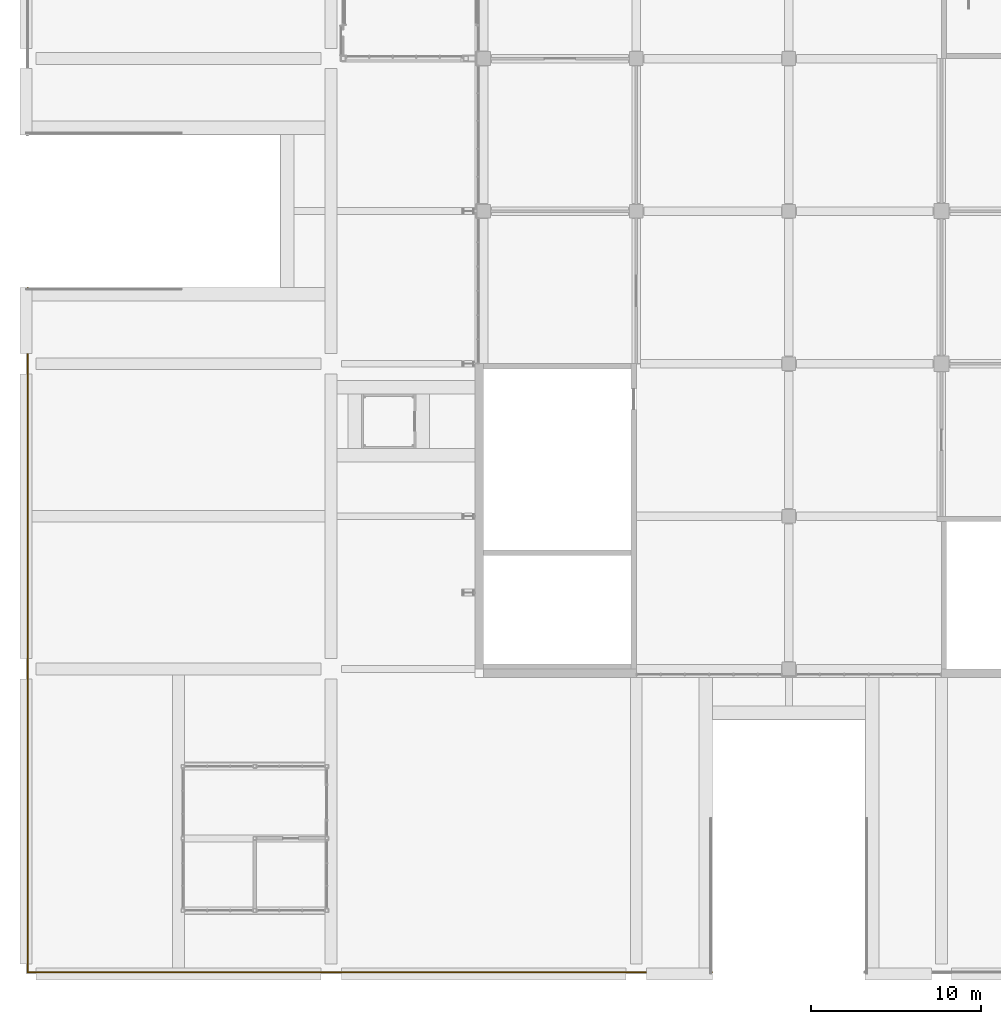
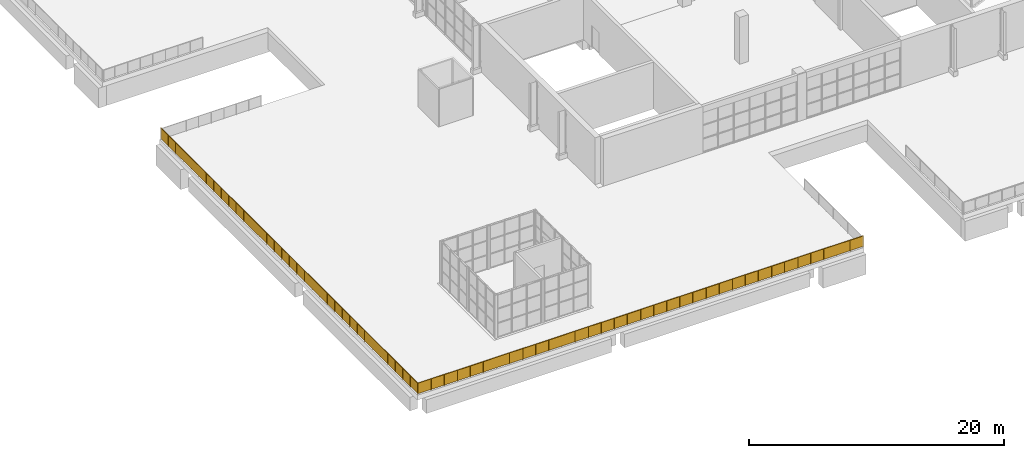
# One storey, part 138 of 168: 1 railing.
"""IFC4 building model written with IfcOpenShell, lengths in metres."""

import ifcopenshell
import ifcopenshell.guid

model = None  # the IFC model being written
_history = None  # IfcOwnerHistory: only IFC2X3 demands one
_inside = {}  # id of a spatial element -> (the spatial element, [elements in it])
_under = {}  # id of a project, library or spatial element -> (it, [spatial elements below it])
_declared = {}  # id of a project -> (the project, [libraries it declares])
_typed = {}  # id of a type object -> (the type object, [elements of that type])
_made_of = {}  # id of a material, layer set ... -> (it, [elements and type objects made of it])


def new_model(schema):
    """Start an empty IFC model of exactly this schema.

    Asked for "IFC4X3", IfcOpenShell would pick the latest addendum, in which some entities
    have other attributes; the version numbers below select the first issue.
    IFC2X3 requires an IfcOwnerHistory on every rooted entity: one is made here for all.
    """
    global model, _history
    if schema == "IFC4X3":
        model = ifcopenshell.file(schema_version=(4, 3, 0, 0))
    else:
        model = ifcopenshell.file(schema=schema)
    _inside.clear()
    _under.clear()
    _declared.clear()
    _typed.clear()
    _made_of.clear()
    _history = None
    if model.schema == "IFC2X3":
        org = make("IfcOrganization", Name="unknown")
        user = make(
            "IfcPersonAndOrganization",
            ThePerson=make("IfcPerson", FamilyName="unknown"),
            TheOrganization=org,
        )
        app = make(
            "IfcApplication",
            ApplicationDeveloper=org,
            Version="unknown",
            ApplicationFullName="unknown",
            ApplicationIdentifier="unknown",
        )
        _history = make(
            "IfcOwnerHistory",
            OwningUser=user,
            OwningApplication=app,
            ChangeAction="ADDED",
            CreationDate=0,
        )
    return model


def make(cls, **values):
    """One entity of the class cls with the attributes given. An attribute that is None is left unset."""
    return model.create_entity(
        cls, **{name: value for name, value in values.items() if value is not None}
    )


def rooted(cls, **values):
    """An entity with a GlobalId (a new one), such as an element, a storey or a relation."""
    return make(cls, GlobalId=ifcopenshell.guid.new(), OwnerHistory=_history, **values)


def si_unit(unit_type, name, prefix=None):
    """IfcSIUnit, for example si_unit("LENGTHUNIT", "METRE", prefix="MILLI")."""
    return make("IfcSIUnit", UnitType=unit_type, Prefix=prefix, Name=name)


def assignment(units):
    """IfcUnitAssignment: the units of a project."""
    return None if units is None else make("IfcUnitAssignment", Units=units)


def point(xyz):
    """IfcCartesianPoint."""
    return None if xyz is None else make("IfcCartesianPoint", Coordinates=xyz)


def direction(xyz):
    """IfcDirection."""
    return None if xyz is None else make("IfcDirection", DirectionRatios=xyz)


def frame(location, z_axis=None, x_axis=None):
    """IfcAxis2Placement3D, a coordinate frame: its origin and axes. An axis left out is left unset."""
    return make(
        "IfcAxis2Placement3D",
        Location=point(location),
        Axis=direction(z_axis),
        RefDirection=direction(x_axis),
    )


def frame_2d(location, x_axis=None):
    """IfcAxis2Placement2D, a coordinate frame in the plane: its origin and x axis."""
    return make(
        "IfcAxis2Placement2D", Location=point(location), RefDirection=direction(x_axis)
    )


def origin():
    """The frame at (0, 0, 0) with its axes left unset."""
    return frame((0.0, 0.0, 0.0))


def origin_2d():
    """The frame at (0, 0) in the plane with its x axis left unset."""
    return frame_2d((0.0, 0.0))


def place(relative_to, where):
    """IfcLocalPlacement: puts the frame where relative to a parent placement (None: the world)."""
    return make(
        "IfcLocalPlacement", PlacementRelTo=relative_to, RelativePlacement=where
    )


def context(
    kind, dimensions, precision=None, world=None, true_north=None, identifier=None
):
    """IfcGeometricRepresentationContext, for example the 3D "Model" context."""
    return make(
        "IfcGeometricRepresentationContext",
        ContextIdentifier=identifier,
        ContextType=kind,
        CoordinateSpaceDimension=dimensions,
        Precision=precision,
        WorldCoordinateSystem=world,
        TrueNorth=true_north,
    )


def subcontext(parent, identifier, kind, view, scale=None):
    """IfcGeometricRepresentationSubContext, for example "Body" below "Model"."""
    return make(
        "IfcGeometricRepresentationSubContext",
        ContextIdentifier=identifier,
        ContextType=kind,
        ParentContext=parent,
        TargetScale=scale,
        TargetView=view,
    )


def project(units=None, contexts=None):
    """IfcProject with its units and contexts."""
    return rooted(
        "IfcProject",
        Name="project",
        RepresentationContexts=contexts,
        UnitsInContext=assignment(units),
    )


def spatial(cls, under=None, at=None, **own):
    """A site, building, storey or space (cls), placed at a placement, below another one or the project."""
    s = rooted(cls, ObjectPlacement=at, **own)
    if under is not None:
        _under.setdefault(under.id(), (under, []))[1].append(s)
    return s


def polyline(points):
    """IfcPolyline through the points."""
    return make("IfcPolyline", Points=[point(p) for p in points])


def profile(cls, at=None, kind="AREA", **sizes):
    """A parametric profile (cls). Its sizes go by their IFC names, for example OverallWidth=200.0."""
    return make(cls, ProfileType=kind, Position=at, **sizes)


def circle(**sizes):
    """IfcCircleProfileDef."""
    return profile("IfcCircleProfileDef", **sizes)


def outline(outer, holes=None, kind="AREA"):
    """IfcArbitraryClosedProfileDef: a profile drawn as a closed curve; with holes, ...WithVoids."""
    if holes is None:
        return make("IfcArbitraryClosedProfileDef", ProfileType=kind, OuterCurve=outer)
    return make(
        "IfcArbitraryProfileDefWithVoids",
        ProfileType=kind,
        OuterCurve=outer,
        InnerCurves=holes,
    )


def extrude(swept, where, along, depth):
    """IfcExtrudedAreaSolid: the profile swept, set in the frame where, extruded along a direction by depth."""
    return make(
        "IfcExtrudedAreaSolid",
        SweptArea=swept,
        Position=where,
        ExtrudedDirection=direction(along),
        Depth=depth,
    )


def shape(context_of_items, identifier, shape_type, items):
    """IfcShapeRepresentation: the items that make up one representation, for example the "Body"."""
    return make(
        "IfcShapeRepresentation",
        ContextOfItems=context_of_items,
        RepresentationIdentifier=identifier,
        RepresentationType=shape_type,
        Items=items,
    )


def material(Name=None, Category=None):
    """IfcMaterial."""
    return make("IfcMaterial", Name=Name, Category=Category)


def made_of(thing, what):
    """Note that an element or type object is made of a material, layer set ...; save() writes the relation."""
    if what is not None:
        _made_of.setdefault(what.id(), (what, []))[1].append(thing)
    return thing


def type_object(cls, material=None, **own):
    """A type object (cls), such as IfcWallType, which elements share."""
    return made_of(rooted(cls, **own), material)


def element(
    cls,
    number,
    at=None,
    inside=None,
    cuts=None,
    type_object=None,
    material=None,
    context=None,
    identifier="Body",
    shape_type=None,
    held_by="IfcProductDefinitionShape",
    body=None,
    shapes=None,
    **own,
):
    """One element of the class cls, such as IfcWall. Its Tag is "e" and its number.

    at: its placement. inside: the storey or other place that contains it. cuts: it is an
    opening in that element (IfcRelVoidsElement). A single representation is given by context,
    identifier, shape_type and body (its items); several are given by shapes. held_by: the class
    of the entity that holds the representations. save() writes the other relations.
    """
    e = rooted(cls, Tag="e%d" % number, ObjectPlacement=at, **own)
    if body is not None:
        shapes = [shape(context, identifier, shape_type, body)]
    if shapes is not None:
        e.Representation = make(held_by, Representations=shapes)
    if inside is not None:
        _inside.setdefault(inside.id(), (inside, []))[1].append(e)
    if cuts is not None:
        rooted(
            "IfcRelVoidsElement", RelatingBuildingElement=cuts, RelatedOpeningElement=e
        )
    if type_object is not None:
        _typed.setdefault(type_object.id(), (type_object, []))[1].append(e)
    return made_of(e, material)


def aggregate(whole, parts):
    """IfcRelAggregates: a whole, such as a stair, and the parts it consists of."""
    return rooted("IfcRelAggregates", RelatingObject=whole, RelatedObjects=parts)


def save(model, path):
    """Write the relations noted so far, then the file.

    IfcRelAggregates (storeys below a building ...), IfcRelContainedInSpatialStructure (elements
    in a storey), IfcRelDefinesByType, IfcRelAssociatesMaterial and IfcRelDeclares: one each for
    every whole, place, type object, material and project.
    """
    for whole, parts in _under.values():
        aggregate(whole, parts)
    for where, things in _inside.values():
        rooted(
            "IfcRelContainedInSpatialStructure",
            RelatedElements=things,
            RelatingStructure=where,
        )
    for kind, things in _typed.values():
        rooted("IfcRelDefinesByType", RelatedObjects=things, RelatingType=kind)
    for what, things in _made_of.values():
        rooted("IfcRelAssociatesMaterial", RelatedObjects=things, RelatingMaterial=what)
    for by, libraries in _declared.values():
        rooted("IfcRelDeclares", RelatingContext=by, RelatedDefinitions=libraries)
    model.write(path)


model = new_model("IFC4")

# Units and contexts
model_context = context("Model", 3, precision=1e-05, world=origin(), true_north=direction((0.0, 1.0)))
body_context = subcontext(model_context, "Body", "Model", "MODEL_VIEW")
ifc_project = project(units=[si_unit("LENGTHUNIT", "METRE"), si_unit("AREAUNIT", "SQUARE_METRE"), si_unit("VOLUMEUNIT", "CUBIC_METRE"), si_unit("PLANEANGLEUNIT", "RADIAN"), si_unit("MASSUNIT", "GRAM", prefix="KILO")], contexts=[model_context])

# Site, building, storey
site_placement = place(None, origin())
site = spatial("IfcSite", under=ifc_project, at=site_placement, CompositionType="ELEMENT")
building_placement = place(site_placement, origin())
building = spatial("IfcBuilding", under=site, at=building_placement, Name="Silverbay Arena", CompositionType="ELEMENT")
storey_placement = place(building_placement, frame((0.0, 0.0, 7.0)))
storey = spatial("IfcBuildingStorey", under=building, at=storey_placement, Name="L01", CompositionType="ELEMENT", Elevation=7.0)

# Railing
ifc_material = material(Name="Stainless steel", Category="steel")
railing_type = type_object("IfcRailingType", Name="Plaza deck guard 1100", PredefinedType="GUARDRAIL", material=ifc_material)
railing_placement = place(storey_placement, frame((0.10009765625, 40.5, 0.0)))
element("IfcRailing", 1, at=railing_placement, inside=storey, type_object=railing_type, Name="Plaza deck guard 4", PredefinedType="GUARDRAIL", context=body_context, shape_type="SweptSolid", body=[
    extrude(circle(Radius=0.02392578125, at=origin_2d()), frame((0.0, 0.0, 1.076171875), z_axis=(0.0, -1.0, 0.0), x_axis=(1.0, 0.0, 0.0)), (0.0, 0.0, 1.0), 40.39990234375),
    extrude(outline(polyline([(-0.008056640625, 0.050048828125), (1.1962890625, 0.050048828125), (1.1962890625, 1.052978515625), (-0.008056640625, 1.052978515625), (-0.008056640625, 0.050048828125)])), frame((0.0029296875, 0.0, 0.0), z_axis=(-1.0, 0.0, 0.0), x_axis=(0.0, -1.0, 0.0)), (0.0, 0.0, 1.0), 0.006103515625),
    extrude(outline(polyline([(-0.008056640625, 0.050048828125), (1.1962890625, 0.050048828125), (1.1962890625, 1.052978515625), (-0.008056640625, 1.052978515625), (-0.008056640625, 0.050048828125)])), frame((0.0029296875, -1.188232421875, 0.0), z_axis=(-1.0, 0.0, 0.0), x_axis=(0.0, -1.0, 0.0)), (0.0, 0.0, 1.0), 0.006103515625),
    extrude(outline(polyline([(-0.008056640625, 0.050048828125), (1.1962890625, 0.050048828125), (1.1962890625, 1.052978515625), (-0.008056640625, 1.052978515625), (-0.008056640625, 0.050048828125)])), frame((0.0029296875, -2.37646484375, 0.0), z_axis=(-1.0, 0.0, 0.0), x_axis=(0.0, -1.0, 0.0)), (0.0, 0.0, 1.0), 0.006103515625),
    extrude(outline(polyline([(-0.008056640625, 0.050048828125), (1.1962890625, 0.050048828125), (1.1962890625, 1.052978515625), (-0.008056640625, 1.052978515625), (-0.008056640625, 0.050048828125)])), frame((0.0029296875, -3.564697265625, 0.0), z_axis=(-1.0, 0.0, 0.0), x_axis=(0.0, -1.0, 0.0)), (0.0, 0.0, 1.0), 0.006103515625),
    extrude(outline(polyline([(-0.008056640625, 0.050048828125), (1.1962890625, 0.050048828125), (1.1962890625, 1.052978515625), (-0.008056640625, 1.052978515625), (-0.008056640625, 0.050048828125)])), frame((0.0029296875, -4.7529296875, 0.0), z_axis=(-1.0, 0.0, 0.0), x_axis=(0.0, -1.0, 0.0)), (0.0, 0.0, 1.0), 0.006103515625),
    extrude(outline(polyline([(-0.008056640625, 0.050048828125), (1.1962890625, 0.050048828125), (1.1962890625, 1.052978515625), (-0.008056640625, 1.052978515625), (-0.008056640625, 0.050048828125)])), frame((0.0029296875, -5.941162109375, 0.0), z_axis=(-1.0, 0.0, 0.0), x_axis=(0.0, -1.0, 0.0)), (0.0, 0.0, 1.0), 0.006103515625),
    extrude(outline(polyline([(-0.008056640625, 0.050048828125), (1.1962890625, 0.050048828125), (1.1962890625, 1.052978515625), (-0.008056640625, 1.052978515625), (-0.008056640625, 0.050048828125)])), frame((0.0029296875, -7.12939453125, 0.0), z_axis=(-1.0, 0.0, 0.0), x_axis=(0.0, -1.0, 0.0)), (0.0, 0.0, 1.0), 0.006103515625),
    extrude(outline(polyline([(-0.008056640625, 0.050048828125), (1.1962890625, 0.050048828125), (1.1962890625, 1.052978515625), (-0.008056640625, 1.052978515625), (-0.008056640625, 0.050048828125)])), frame((0.0029296875, -8.317626953125, 0.0), z_axis=(-1.0, 0.0, 0.0), x_axis=(0.0, -1.0, 0.0)), (0.0, 0.0, 1.0), 0.006103515625),
    extrude(outline(polyline([(-0.008056640625, 0.050048828125), (1.1962890625, 0.050048828125), (1.1962890625, 1.052978515625), (-0.008056640625, 1.052978515625), (-0.008056640625, 0.050048828125)])), frame((0.0029296875, -9.505859375, 0.0), z_axis=(-1.0, 0.0, 0.0), x_axis=(0.0, -1.0, 0.0)), (0.0, 0.0, 1.0), 0.006103515625),
    extrude(outline(polyline([(-0.008056640625, 0.050048828125), (1.1962890625, 0.050048828125), (1.1962890625, 1.052978515625), (-0.008056640625, 1.052978515625), (-0.008056640625, 0.050048828125)])), frame((0.0029296875, -10.694091796875, 0.0), z_axis=(-1.0, 0.0, 0.0), x_axis=(0.0, -1.0, 0.0)), (0.0, 0.0, 1.0), 0.006103515625),
    extrude(outline(polyline([(-0.008056640625, 0.050048828125), (1.1962890625, 0.050048828125), (1.1962890625, 1.052978515625), (-0.008056640625, 1.052978515625), (-0.008056640625, 0.050048828125)])), frame((0.0029296875, -11.88232421875, 0.0), z_axis=(-1.0, 0.0, 0.0), x_axis=(0.0, -1.0, 0.0)), (0.0, 0.0, 1.0), 0.006103515625),
    extrude(outline(polyline([(-0.008056640625, 0.050048828125), (1.1962890625, 0.050048828125), (1.1962890625, 1.052978515625), (-0.008056640625, 1.052978515625), (-0.008056640625, 0.050048828125)])), frame((0.0029296875, -13.070556640625, 0.0), z_axis=(-1.0, 0.0, 0.0), x_axis=(0.0, -1.0, 0.0)), (0.0, 0.0, 1.0), 0.006103515625),
    extrude(outline(polyline([(-0.008056640625, 0.050048828125), (1.1962890625, 0.050048828125), (1.1962890625, 1.052978515625), (-0.008056640625, 1.052978515625), (-0.008056640625, 0.050048828125)])), frame((0.0029296875, -14.2587890625, 0.0), z_axis=(-1.0, 0.0, 0.0), x_axis=(0.0, -1.0, 0.0)), (0.0, 0.0, 1.0), 0.006103515625),
    extrude(outline(polyline([(-0.008056640625, 0.050048828125), (1.1962890625, 0.050048828125), (1.1962890625, 1.052978515625), (-0.008056640625, 1.052978515625), (-0.008056640625, 0.050048828125)])), frame((0.0029296875, -15.447021484375, 0.0), z_axis=(-1.0, 0.0, 0.0), x_axis=(0.0, -1.0, 0.0)), (0.0, 0.0, 1.0), 0.006103515625),
    extrude(outline(polyline([(-0.008056640625, 0.050048828125), (1.1962890625, 0.050048828125), (1.1962890625, 1.052978515625), (-0.008056640625, 1.052978515625), (-0.008056640625, 0.050048828125)])), frame((0.0029296875, -16.63525390625, 0.0), z_axis=(-1.0, 0.0, 0.0), x_axis=(0.0, -1.0, 0.0)), (0.0, 0.0, 1.0), 0.006103515625),
    extrude(outline(polyline([(-0.008056640625, 0.050048828125), (1.1962890625, 0.050048828125), (1.1962890625, 1.052978515625), (-0.008056640625, 1.052978515625), (-0.008056640625, 0.050048828125)])), frame((0.0029296875, -17.823486328125, 0.0), z_axis=(-1.0, 0.0, 0.0), x_axis=(0.0, -1.0, 0.0)), (0.0, 0.0, 1.0), 0.006103515625),
    extrude(outline(polyline([(-0.008056640625, 0.050048828125), (1.1962890625, 0.050048828125), (1.1962890625, 1.052978515625), (-0.008056640625, 1.052978515625), (-0.008056640625, 0.050048828125)])), frame((0.0029296875, -19.01171875, 0.0), z_axis=(-1.0, 0.0, 0.0), x_axis=(0.0, -1.0, 0.0)), (0.0, 0.0, 1.0), 0.006103515625),
    extrude(outline(polyline([(-0.008056640625, 0.050048828125), (1.1962890625, 0.050048828125), (1.1962890625, 1.052978515625), (-0.008056640625, 1.052978515625), (-0.008056640625, 0.050048828125)])), frame((0.0029296875, -20.199951171875, 0.0), z_axis=(-1.0, 0.0, 0.0), x_axis=(0.0, -1.0, 0.0)), (0.0, 0.0, 1.0), 0.006103515625),
    extrude(outline(polyline([(-0.008056640625, 0.050048828125), (1.1962890625, 0.050048828125), (1.1962890625, 1.052978515625), (-0.008056640625, 1.052978515625), (-0.008056640625, 0.050048828125)])), frame((0.0029296875, -21.38818359375, 0.0), z_axis=(-1.0, 0.0, 0.0), x_axis=(0.0, -1.0, 0.0)), (0.0, 0.0, 1.0), 0.006103515625),
    extrude(outline(polyline([(-0.008056640625, 0.050048828125), (1.1962890625, 0.050048828125), (1.1962890625, 1.052978515625), (-0.008056640625, 1.052978515625), (-0.008056640625, 0.050048828125)])), frame((0.0029296875, -22.576416015625, 0.0), z_axis=(-1.0, 0.0, 0.0), x_axis=(0.0, -1.0, 0.0)), (0.0, 0.0, 1.0), 0.006103515625),
    extrude(outline(polyline([(-0.008056640625, 0.050048828125), (1.1962890625, 0.050048828125), (1.1962890625, 1.052978515625), (-0.008056640625, 1.052978515625), (-0.008056640625, 0.050048828125)])), frame((0.0029296875, -23.7646484375, 0.0), z_axis=(-1.0, 0.0, 0.0), x_axis=(0.0, -1.0, 0.0)), (0.0, 0.0, 1.0), 0.006103515625),
    extrude(outline(polyline([(-0.008056640625, 0.050048828125), (1.1962890625, 0.050048828125), (1.1962890625, 1.052978515625), (-0.008056640625, 1.052978515625), (-0.008056640625, 0.050048828125)])), frame((0.0029296875, -24.952880859375, 0.0), z_axis=(-1.0, 0.0, 0.0), x_axis=(0.0, -1.0, 0.0)), (0.0, 0.0, 1.0), 0.006103515625),
    extrude(outline(polyline([(-0.008056640625, 0.050048828125), (1.1962890625, 0.050048828125), (1.1962890625, 1.052978515625), (-0.008056640625, 1.052978515625), (-0.008056640625, 0.050048828125)])), frame((0.0029296875, -26.14111328125, 0.0), z_axis=(-1.0, 0.0, 0.0), x_axis=(0.0, -1.0, 0.0)), (0.0, 0.0, 1.0), 0.006103515625),
    extrude(outline(polyline([(-0.008056640625, 0.050048828125), (1.1962890625, 0.050048828125), (1.1962890625, 1.052978515625), (-0.008056640625, 1.052978515625), (-0.008056640625, 0.050048828125)])), frame((0.0029296875, -27.329345703125, 0.0), z_axis=(-1.0, 0.0, 0.0), x_axis=(0.0, -1.0, 0.0)), (0.0, 0.0, 1.0), 0.006103515625),
    extrude(outline(polyline([(-0.008056640625, 0.050048828125), (1.1962890625, 0.050048828125), (1.1962890625, 1.052978515625), (-0.008056640625, 1.052978515625), (-0.008056640625, 0.050048828125)])), frame((0.0029296875, -28.517578125, 0.0), z_axis=(-1.0, 0.0, 0.0), x_axis=(0.0, -1.0, 0.0)), (0.0, 0.0, 1.0), 0.006103515625),
    extrude(outline(polyline([(-0.008056640625, 0.050048828125), (1.1962890625, 0.050048828125), (1.1962890625, 1.052978515625), (-0.008056640625, 1.052978515625), (-0.008056640625, 0.050048828125)])), frame((0.0029296875, -29.705810546875, 0.0), z_axis=(-1.0, 0.0, 0.0), x_axis=(0.0, -1.0, 0.0)), (0.0, 0.0, 1.0), 0.006103515625),
    extrude(outline(polyline([(-0.008056640625, 0.050048828125), (1.1962890625, 0.050048828125), (1.1962890625, 1.052978515625), (-0.008056640625, 1.052978515625), (-0.008056640625, 0.050048828125)])), frame((0.0029296875, -30.89404296875, 0.0), z_axis=(-1.0, 0.0, 0.0), x_axis=(0.0, -1.0, 0.0)), (0.0, 0.0, 1.0), 0.006103515625),
    extrude(outline(polyline([(-0.008056640625, 0.050048828125), (1.1962890625, 0.050048828125), (1.1962890625, 1.052978515625), (-0.008056640625, 1.052978515625), (-0.008056640625, 0.050048828125)])), frame((0.0029296875, -32.082275390625, 0.0), z_axis=(-1.0, 0.0, 0.0), x_axis=(0.0, -1.0, 0.0)), (0.0, 0.0, 1.0), 0.006103515625),
    extrude(outline(polyline([(-0.008056640625, 0.050048828125), (1.1962890625, 0.050048828125), (1.1962890625, 1.052978515625), (-0.008056640625, 1.052978515625), (-0.008056640625, 0.050048828125)])), frame((0.0029296875, -33.2705078125, 0.0), z_axis=(-1.0, 0.0, 0.0), x_axis=(0.0, -1.0, 0.0)), (0.0, 0.0, 1.0), 0.006103515625),
    extrude(outline(polyline([(-0.008056640625, 0.050048828125), (1.1962890625, 0.050048828125), (1.1962890625, 1.052978515625), (-0.008056640625, 1.052978515625), (-0.008056640625, 0.050048828125)])), frame((0.0029296875, -34.458740234375, 0.0), z_axis=(-1.0, 0.0, 0.0), x_axis=(0.0, -1.0, 0.0)), (0.0, 0.0, 1.0), 0.006103515625),
    extrude(outline(polyline([(-0.008056640625, 0.050048828125), (1.1962890625, 0.050048828125), (1.1962890625, 1.052978515625), (-0.008056640625, 1.052978515625), (-0.008056640625, 0.050048828125)])), frame((0.0029296875, -35.64697265625, 0.0), z_axis=(-1.0, 0.0, 0.0), x_axis=(0.0, -1.0, 0.0)), (0.0, 0.0, 1.0), 0.006103515625),
    extrude(outline(polyline([(-0.008056640625, 0.050048828125), (1.1962890625, 0.050048828125), (1.1962890625, 1.052978515625), (-0.008056640625, 1.052978515625), (-0.008056640625, 0.050048828125)])), frame((0.0029296875, -36.835205078125, 0.0), z_axis=(-1.0, 0.0, 0.0), x_axis=(0.0, -1.0, 0.0)), (0.0, 0.0, 1.0), 0.006103515625),
    extrude(outline(polyline([(-0.008056640625, 0.050048828125), (1.1962890625, 0.050048828125), (1.1962890625, 1.052978515625), (-0.008056640625, 1.052978515625), (-0.008056640625, 0.050048828125)])), frame((0.0029296875, -38.0234375, 0.0), z_axis=(-1.0, 0.0, 0.0), x_axis=(0.0, -1.0, 0.0)), (0.0, 0.0, 1.0), 0.006103515625),
    extrude(outline(polyline([(-0.008056640625, 0.050048828125), (1.1962890625, 0.050048828125), (1.1962890625, 1.052978515625), (-0.008056640625, 1.052978515625), (-0.008056640625, 0.050048828125)])), frame((0.0029296875, -39.211669921875, 0.0), z_axis=(-1.0, 0.0, 0.0), x_axis=(0.0, -1.0, 0.0)), (0.0, 0.0, 1.0), 0.006103515625),
    extrude(circle(Radius=0.02392578125, at=origin_2d()), frame((0.0, -40.39990234375, 1.076171875), z_axis=(1.0, 0.0, 0.0), x_axis=(0.0, 1.0, 0.0)), (0.0, 0.0, 1.0), 40.39990234375),
    extrude(outline(polyline([(-0.008056640625, 0.050048828125), (1.1962890625, 0.050048828125), (1.1962890625, 1.052978515625), (-0.008056640625, 1.052978515625), (-0.008056640625, 0.050048828125)])), frame((0.0, -40.39697265625, 0.0), z_axis=(0.0, -1.0, 0.0), x_axis=(1.0, 0.0, 0.0)), (0.0, 0.0, 1.0), 0.006103515625),
    extrude(outline(polyline([(-0.008056640625, 0.050048828125), (1.1962890625, 0.050048828125), (1.1962890625, 1.052978515625), (-0.008056640625, 1.052978515625), (-0.008056640625, 0.050048828125)])), frame((1.188232421875, -40.39697265625, 0.0), z_axis=(0.0, -1.0, 0.0), x_axis=(1.0, 0.0, 0.0)), (0.0, 0.0, 1.0), 0.006103515625),
    extrude(outline(polyline([(-0.008056640625, 0.050048828125), (1.1962890625, 0.050048828125), (1.1962890625, 1.052978515625), (-0.008056640625, 1.052978515625), (-0.008056640625, 0.050048828125)])), frame((2.37646484375, -40.39697265625, 0.0), z_axis=(0.0, -1.0, 0.0), x_axis=(1.0, 0.0, 0.0)), (0.0, 0.0, 1.0), 0.006103515625),
    extrude(outline(polyline([(-0.008056640625, 0.050048828125), (1.1962890625, 0.050048828125), (1.1962890625, 1.052978515625), (-0.008056640625, 1.052978515625), (-0.008056640625, 0.050048828125)])), frame((3.564697265625, -40.39697265625, 0.0), z_axis=(0.0, -1.0, 0.0), x_axis=(1.0, 0.0, 0.0)), (0.0, 0.0, 1.0), 0.006103515625),
    extrude(outline(polyline([(-0.008056640625, 0.050048828125), (1.1962890625, 0.050048828125), (1.1962890625, 1.052978515625), (-0.008056640625, 1.052978515625), (-0.008056640625, 0.050048828125)])), frame((4.7529296875, -40.39697265625, 0.0), z_axis=(0.0, -1.0, 0.0), x_axis=(1.0, 0.0, 0.0)), (0.0, 0.0, 1.0), 0.006103515625),
    extrude(outline(polyline([(-0.008056640625, 0.050048828125), (1.1962890625, 0.050048828125), (1.1962890625, 1.052978515625), (-0.008056640625, 1.052978515625), (-0.008056640625, 0.050048828125)])), frame((5.941162109375, -40.39697265625, 0.0), z_axis=(0.0, -1.0, 0.0), x_axis=(1.0, 0.0, 0.0)), (0.0, 0.0, 1.0), 0.006103515625),
    extrude(outline(polyline([(-0.008056640625, 0.050048828125), (1.1962890625, 0.050048828125), (1.1962890625, 1.052978515625), (-0.008056640625, 1.052978515625), (-0.008056640625, 0.050048828125)])), frame((7.12939453125, -40.39697265625, 0.0), z_axis=(0.0, -1.0, 0.0), x_axis=(1.0, 0.0, 0.0)), (0.0, 0.0, 1.0), 0.006103515625),
    extrude(outline(polyline([(-0.008056640625, 0.050048828125), (1.1962890625, 0.050048828125), (1.1962890625, 1.052978515625), (-0.008056640625, 1.052978515625), (-0.008056640625, 0.050048828125)])), frame((8.317626953125, -40.39697265625, 0.0), z_axis=(0.0, -1.0, 0.0), x_axis=(1.0, 0.0, 0.0)), (0.0, 0.0, 1.0), 0.006103515625),
    extrude(outline(polyline([(-0.008056640625, 0.050048828125), (1.1962890625, 0.050048828125), (1.1962890625, 1.052978515625), (-0.008056640625, 1.052978515625), (-0.008056640625, 0.050048828125)])), frame((9.505859375, -40.39697265625, 0.0), z_axis=(0.0, -1.0, 0.0), x_axis=(1.0, 0.0, 0.0)), (0.0, 0.0, 1.0), 0.006103515625),
    extrude(outline(polyline([(-0.008056640625, 0.050048828125), (1.1962890625, 0.050048828125), (1.1962890625, 1.052978515625), (-0.008056640625, 1.052978515625), (-0.008056640625, 0.050048828125)])), frame((10.694091796875, -40.39697265625, 0.0), z_axis=(0.0, -1.0, 0.0), x_axis=(1.0, 0.0, 0.0)), (0.0, 0.0, 1.0), 0.006103515625),
    extrude(outline(polyline([(-0.008056640625, 0.050048828125), (1.1962890625, 0.050048828125), (1.1962890625, 1.052978515625), (-0.008056640625, 1.052978515625), (-0.008056640625, 0.050048828125)])), frame((11.88232421875, -40.39697265625, 0.0), z_axis=(0.0, -1.0, 0.0), x_axis=(1.0, 0.0, 0.0)), (0.0, 0.0, 1.0), 0.006103515625),
    extrude(outline(polyline([(-0.008056640625, 0.050048828125), (1.1962890625, 0.050048828125), (1.1962890625, 1.052978515625), (-0.008056640625, 1.052978515625), (-0.008056640625, 0.050048828125)])), frame((13.070556640625, -40.39697265625, 0.0), z_axis=(0.0, -1.0, 0.0), x_axis=(1.0, 0.0, 0.0)), (0.0, 0.0, 1.0), 0.006103515625),
    extrude(outline(polyline([(-0.008056640625, 0.050048828125), (1.1962890625, 0.050048828125), (1.1962890625, 1.052978515625), (-0.008056640625, 1.052978515625), (-0.008056640625, 0.050048828125)])), frame((14.2587890625, -40.39697265625, 0.0), z_axis=(0.0, -1.0, 0.0), x_axis=(1.0, 0.0, 0.0)), (0.0, 0.0, 1.0), 0.006103515625),
    extrude(outline(polyline([(-0.008056640625, 0.050048828125), (1.1962890625, 0.050048828125), (1.1962890625, 1.052978515625), (-0.008056640625, 1.052978515625), (-0.008056640625, 0.050048828125)])), frame((15.447021484375, -40.39697265625, 0.0), z_axis=(0.0, -1.0, 0.0), x_axis=(1.0, 0.0, 0.0)), (0.0, 0.0, 1.0), 0.006103515625),
    extrude(outline(polyline([(-0.008056640625, 0.050048828125), (1.1962890625, 0.050048828125), (1.1962890625, 1.052978515625), (-0.008056640625, 1.052978515625), (-0.008056640625, 0.050048828125)])), frame((16.63525390625, -40.39697265625, 0.0), z_axis=(0.0, -1.0, 0.0), x_axis=(1.0, 0.0, 0.0)), (0.0, 0.0, 1.0), 0.006103515625),
    extrude(outline(polyline([(-0.008056640625, 0.050048828125), (1.1962890625, 0.050048828125), (1.1962890625, 1.052978515625), (-0.008056640625, 1.052978515625), (-0.008056640625, 0.050048828125)])), frame((17.823486328125, -40.39697265625, 0.0), z_axis=(0.0, -1.0, 0.0), x_axis=(1.0, 0.0, 0.0)), (0.0, 0.0, 1.0), 0.006103515625),
    extrude(outline(polyline([(-0.008056640625, 0.050048828125), (1.1962890625, 0.050048828125), (1.1962890625, 1.052978515625), (-0.008056640625, 1.052978515625), (-0.008056640625, 0.050048828125)])), frame((19.01171875, -40.39697265625, 0.0), z_axis=(0.0, -1.0, 0.0), x_axis=(1.0, 0.0, 0.0)), (0.0, 0.0, 1.0), 0.006103515625),
    extrude(outline(polyline([(-0.008056640625, 0.050048828125), (1.1962890625, 0.050048828125), (1.1962890625, 1.052978515625), (-0.008056640625, 1.052978515625), (-0.008056640625, 0.050048828125)])), frame((20.199951171875, -40.39697265625, 0.0), z_axis=(0.0, -1.0, 0.0), x_axis=(1.0, 0.0, 0.0)), (0.0, 0.0, 1.0), 0.006103515625),
    extrude(outline(polyline([(-0.008056640625, 0.050048828125), (1.1962890625, 0.050048828125), (1.1962890625, 1.052978515625), (-0.008056640625, 1.052978515625), (-0.008056640625, 0.050048828125)])), frame((21.38818359375, -40.39697265625, 0.0), z_axis=(0.0, -1.0, 0.0), x_axis=(1.0, 0.0, 0.0)), (0.0, 0.0, 1.0), 0.006103515625),
    extrude(outline(polyline([(-0.008056640625, 0.050048828125), (1.1962890625, 0.050048828125), (1.1962890625, 1.052978515625), (-0.008056640625, 1.052978515625), (-0.008056640625, 0.050048828125)])), frame((22.576416015625, -40.39697265625, 0.0), z_axis=(0.0, -1.0, 0.0), x_axis=(1.0, 0.0, 0.0)), (0.0, 0.0, 1.0), 0.006103515625),
    extrude(outline(polyline([(-0.008056640625, 0.050048828125), (1.1962890625, 0.050048828125), (1.1962890625, 1.052978515625), (-0.008056640625, 1.052978515625), (-0.008056640625, 0.050048828125)])), frame((23.7646484375, -40.39697265625, 0.0), z_axis=(0.0, -1.0, 0.0), x_axis=(1.0, 0.0, 0.0)), (0.0, 0.0, 1.0), 0.006103515625),
    extrude(outline(polyline([(-0.008056640625, 0.050048828125), (1.1962890625, 0.050048828125), (1.1962890625, 1.052978515625), (-0.008056640625, 1.052978515625), (-0.008056640625, 0.050048828125)])), frame((24.952880859375, -40.39697265625, 0.0), z_axis=(0.0, -1.0, 0.0), x_axis=(1.0, 0.0, 0.0)), (0.0, 0.0, 1.0), 0.006103515625),
    extrude(outline(polyline([(-0.008056640625, 0.050048828125), (1.1962890625, 0.050048828125), (1.1962890625, 1.052978515625), (-0.008056640625, 1.052978515625), (-0.008056640625, 0.050048828125)])), frame((26.14111328125, -40.39697265625, 0.0), z_axis=(0.0, -1.0, 0.0), x_axis=(1.0, 0.0, 0.0)), (0.0, 0.0, 1.0), 0.006103515625),
    extrude(outline(polyline([(-0.008056640625, 0.050048828125), (1.1962890625, 0.050048828125), (1.1962890625, 1.052978515625), (-0.008056640625, 1.052978515625), (-0.008056640625, 0.050048828125)])), frame((27.329345703125, -40.39697265625, 0.0), z_axis=(0.0, -1.0, 0.0), x_axis=(1.0, 0.0, 0.0)), (0.0, 0.0, 1.0), 0.006103515625),
    extrude(outline(polyline([(-0.008056640625, 0.050048828125), (1.1962890625, 0.050048828125), (1.1962890625, 1.052978515625), (-0.008056640625, 1.052978515625), (-0.008056640625, 0.050048828125)])), frame((28.517578125, -40.39697265625, 0.0), z_axis=(0.0, -1.0, 0.0), x_axis=(1.0, 0.0, 0.0)), (0.0, 0.0, 1.0), 0.006103515625),
    extrude(outline(polyline([(-0.008056640625, 0.050048828125), (1.1962890625, 0.050048828125), (1.1962890625, 1.052978515625), (-0.008056640625, 1.052978515625), (-0.008056640625, 0.050048828125)])), frame((29.705810546875, -40.39697265625, 0.0), z_axis=(0.0, -1.0, 0.0), x_axis=(1.0, 0.0, 0.0)), (0.0, 0.0, 1.0), 0.006103515625),
    extrude(outline(polyline([(-0.008056640625, 0.050048828125), (1.1962890625, 0.050048828125), (1.1962890625, 1.052978515625), (-0.008056640625, 1.052978515625), (-0.008056640625, 0.050048828125)])), frame((30.89404296875, -40.39697265625, 0.0), z_axis=(0.0, -1.0, 0.0), x_axis=(1.0, 0.0, 0.0)), (0.0, 0.0, 1.0), 0.006103515625),
    extrude(outline(polyline([(-0.008056640625, 0.050048828125), (1.1962890625, 0.050048828125), (1.1962890625, 1.052978515625), (-0.008056640625, 1.052978515625), (-0.008056640625, 0.050048828125)])), frame((32.082275390625, -40.39697265625, 0.0), z_axis=(0.0, -1.0, 0.0), x_axis=(1.0, 0.0, 0.0)), (0.0, 0.0, 1.0), 0.006103515625),
    extrude(outline(polyline([(-0.008056640625, 0.050048828125), (1.1962890625, 0.050048828125), (1.1962890625, 1.052978515625), (-0.008056640625, 1.052978515625), (-0.008056640625, 0.050048828125)])), frame((33.2705078125, -40.39697265625, 0.0), z_axis=(0.0, -1.0, 0.0), x_axis=(1.0, 0.0, 0.0)), (0.0, 0.0, 1.0), 0.006103515625),
    extrude(outline(polyline([(-0.008056640625, 0.050048828125), (1.1962890625, 0.050048828125), (1.1962890625, 1.052978515625), (-0.008056640625, 1.052978515625), (-0.008056640625, 0.050048828125)])), frame((34.458740234375, -40.39697265625, 0.0), z_axis=(0.0, -1.0, 0.0), x_axis=(1.0, 0.0, 0.0)), (0.0, 0.0, 1.0), 0.006103515625),
    extrude(outline(polyline([(-0.008056640625, 0.050048828125), (1.1962890625, 0.050048828125), (1.1962890625, 1.052978515625), (-0.008056640625, 1.052978515625), (-0.008056640625, 0.050048828125)])), frame((35.64697265625, -40.39697265625, 0.0), z_axis=(0.0, -1.0, 0.0), x_axis=(1.0, 0.0, 0.0)), (0.0, 0.0, 1.0), 0.006103515625),
    extrude(outline(polyline([(-0.008056640625, 0.050048828125), (1.1962890625, 0.050048828125), (1.1962890625, 1.052978515625), (-0.008056640625, 1.052978515625), (-0.008056640625, 0.050048828125)])), frame((36.835205078125, -40.39697265625, 0.0), z_axis=(0.0, -1.0, 0.0), x_axis=(1.0, 0.0, 0.0)), (0.0, 0.0, 1.0), 0.006103515625),
    extrude(outline(polyline([(-0.008056640625, 0.050048828125), (1.1962890625, 0.050048828125), (1.1962890625, 1.052978515625), (-0.008056640625, 1.052978515625), (-0.008056640625, 0.050048828125)])), frame((38.0234375, -40.39697265625, 0.0), z_axis=(0.0, -1.0, 0.0), x_axis=(1.0, 0.0, 0.0)), (0.0, 0.0, 1.0), 0.006103515625),
    extrude(outline(polyline([(-0.008056640625, 0.050048828125), (1.1962890625, 0.050048828125), (1.1962890625, 1.052978515625), (-0.008056640625, 1.052978515625), (-0.008056640625, 0.050048828125)])), frame((39.211669921875, -40.39697265625, 0.0), z_axis=(0.0, -1.0, 0.0), x_axis=(1.0, 0.0, 0.0)), (0.0, 0.0, 1.0), 0.006103515625),
    extrude(circle(Radius=0.02099609375, at=origin_2d()), origin(), (0.0, 0.0, 1.0), 1.052001953125),
    extrude(circle(Radius=0.02099609375, at=origin_2d()), frame((0.0, -1.188232421875, 0.0)), (0.0, 0.0, 1.0), 1.052001953125),
    extrude(circle(Radius=0.02099609375, at=origin_2d()), frame((0.0, -2.37646484375, 0.0)), (0.0, 0.0, 1.0), 1.052001953125),
    extrude(circle(Radius=0.02099609375, at=origin_2d()), frame((0.0, -3.564697265625, 0.0)), (0.0, 0.0, 1.0), 1.052001953125),
    extrude(circle(Radius=0.02099609375, at=origin_2d()), frame((0.0, -4.7529296875, 0.0)), (0.0, 0.0, 1.0), 1.052001953125),
    extrude(circle(Radius=0.02099609375, at=origin_2d()), frame((0.0, -5.941162109375, 0.0)), (0.0, 0.0, 1.0), 1.052001953125),
    extrude(circle(Radius=0.02099609375, at=origin_2d()), frame((0.0, -7.12939453125, 0.0)), (0.0, 0.0, 1.0), 1.052001953125),
    extrude(circle(Radius=0.02099609375, at=origin_2d()), frame((0.0, -8.317626953125, 0.0)), (0.0, 0.0, 1.0), 1.052001953125),
    extrude(circle(Radius=0.02099609375, at=origin_2d()), frame((0.0, -9.505859375, 0.0)), (0.0, 0.0, 1.0), 1.052001953125),
    extrude(circle(Radius=0.02099609375, at=origin_2d()), frame((0.0, -10.694091796875, 0.0)), (0.0, 0.0, 1.0), 1.052001953125),
    extrude(circle(Radius=0.02099609375, at=origin_2d()), frame((0.0, -11.88232421875, 0.0)), (0.0, 0.0, 1.0), 1.052001953125),
    extrude(circle(Radius=0.02099609375, at=origin_2d()), frame((0.0, -13.070556640625, 0.0)), (0.0, 0.0, 1.0), 1.052001953125),
    extrude(circle(Radius=0.02099609375, at=origin_2d()), frame((0.0, -14.2587890625, 0.0)), (0.0, 0.0, 1.0), 1.052001953125),
    extrude(circle(Radius=0.02099609375, at=origin_2d()), frame((0.0, -15.447021484375, 0.0)), (0.0, 0.0, 1.0), 1.052001953125),
    extrude(circle(Radius=0.02099609375, at=origin_2d()), frame((0.0, -16.63525390625, 0.0)), (0.0, 0.0, 1.0), 1.052001953125),
    extrude(circle(Radius=0.02099609375, at=origin_2d()), frame((0.0, -17.823486328125, 0.0)), (0.0, 0.0, 1.0), 1.052001953125),
    extrude(circle(Radius=0.02099609375, at=origin_2d()), frame((0.0, -19.01171875, 0.0)), (0.0, 0.0, 1.0), 1.052001953125),
    extrude(circle(Radius=0.02099609375, at=origin_2d()), frame((0.0, -20.199951171875, 0.0)), (0.0, 0.0, 1.0), 1.052001953125),
    extrude(circle(Radius=0.02099609375, at=origin_2d()), frame((0.0, -21.38818359375, 0.0)), (0.0, 0.0, 1.0), 1.052001953125),
    extrude(circle(Radius=0.02099609375, at=origin_2d()), frame((0.0, -22.576416015625, 0.0)), (0.0, 0.0, 1.0), 1.052001953125),
    extrude(circle(Radius=0.02099609375, at=origin_2d()), frame((0.0, -23.7646484375, 0.0)), (0.0, 0.0, 1.0), 1.052001953125),
    extrude(circle(Radius=0.02099609375, at=origin_2d()), frame((0.0, -24.952880859375, 0.0)), (0.0, 0.0, 1.0), 1.052001953125),
    extrude(circle(Radius=0.02099609375, at=origin_2d()), frame((0.0, -26.14111328125, 0.0)), (0.0, 0.0, 1.0), 1.052001953125),
    extrude(circle(Radius=0.02099609375, at=origin_2d()), frame((0.0, -27.329345703125, 0.0)), (0.0, 0.0, 1.0), 1.052001953125),
    extrude(circle(Radius=0.02099609375, at=origin_2d()), frame((0.0, -28.517578125, 0.0)), (0.0, 0.0, 1.0), 1.052001953125),
    extrude(circle(Radius=0.02099609375, at=origin_2d()), frame((0.0, -29.705810546875, 0.0)), (0.0, 0.0, 1.0), 1.052001953125),
    extrude(circle(Radius=0.02099609375, at=origin_2d()), frame((0.0, -30.89404296875, 0.0)), (0.0, 0.0, 1.0), 1.052001953125),
    extrude(circle(Radius=0.02099609375, at=origin_2d()), frame((0.0, -32.082275390625, 0.0)), (0.0, 0.0, 1.0), 1.052001953125),
    extrude(circle(Radius=0.02099609375, at=origin_2d()), frame((0.0, -33.2705078125, 0.0)), (0.0, 0.0, 1.0), 1.052001953125),
    extrude(circle(Radius=0.02099609375, at=origin_2d()), frame((0.0, -34.458740234375, 0.0)), (0.0, 0.0, 1.0), 1.052001953125),
    extrude(circle(Radius=0.02099609375, at=origin_2d()), frame((0.0, -35.64697265625, 0.0)), (0.0, 0.0, 1.0), 1.052001953125),
    extrude(circle(Radius=0.02099609375, at=origin_2d()), frame((0.0, -36.835205078125, 0.0)), (0.0, 0.0, 1.0), 1.052001953125),
    extrude(circle(Radius=0.02099609375, at=origin_2d()), frame((0.0, -38.0234375, 0.0)), (0.0, 0.0, 1.0), 1.052001953125),
    extrude(circle(Radius=0.02099609375, at=origin_2d()), frame((0.0, -39.211669921875, 0.0)), (0.0, 0.0, 1.0), 1.052001953125),
    extrude(circle(Radius=0.02099609375, at=origin_2d()), frame((0.0, -40.39990234375, 0.0)), (0.0, 0.0, 1.0), 1.052001953125),
    extrude(circle(Radius=0.02099609375, at=origin_2d()), frame((1.188232421875, -40.39990234375, 0.0)), (0.0, 0.0, 1.0), 1.052001953125),
    extrude(circle(Radius=0.02099609375, at=origin_2d()), frame((2.37646484375, -40.39990234375, 0.0)), (0.0, 0.0, 1.0), 1.052001953125),
    extrude(circle(Radius=0.02099609375, at=origin_2d()), frame((3.564697265625, -40.39990234375, 0.0)), (0.0, 0.0, 1.0), 1.052001953125),
    extrude(circle(Radius=0.02099609375, at=origin_2d()), frame((4.7529296875, -40.39990234375, 0.0)), (0.0, 0.0, 1.0), 1.052001953125),
    extrude(circle(Radius=0.02099609375, at=origin_2d()), frame((5.941162109375, -40.39990234375, 0.0)), (0.0, 0.0, 1.0), 1.052001953125),
    extrude(circle(Radius=0.02099609375, at=origin_2d()), frame((7.12939453125, -40.39990234375, 0.0)), (0.0, 0.0, 1.0), 1.052001953125),
    extrude(circle(Radius=0.02099609375, at=origin_2d()), frame((8.317626953125, -40.39990234375, 0.0)), (0.0, 0.0, 1.0), 1.052001953125),
    extrude(circle(Radius=0.02099609375, at=origin_2d()), frame((9.505859375, -40.39990234375, 0.0)), (0.0, 0.0, 1.0), 1.052001953125),
    extrude(circle(Radius=0.02099609375, at=origin_2d()), frame((10.694091796875, -40.39990234375, 0.0)), (0.0, 0.0, 1.0), 1.052001953125),
    extrude(circle(Radius=0.02099609375, at=origin_2d()), frame((11.88232421875, -40.39990234375, 0.0)), (0.0, 0.0, 1.0), 1.052001953125),
    extrude(circle(Radius=0.02099609375, at=origin_2d()), frame((13.070556640625, -40.39990234375, 0.0)), (0.0, 0.0, 1.0), 1.052001953125),
    extrude(circle(Radius=0.02099609375, at=origin_2d()), frame((14.2587890625, -40.39990234375, 0.0)), (0.0, 0.0, 1.0), 1.052001953125),
    extrude(circle(Radius=0.02099609375, at=origin_2d()), frame((15.447021484375, -40.39990234375, 0.0)), (0.0, 0.0, 1.0), 1.052001953125),
    extrude(circle(Radius=0.02099609375, at=origin_2d()), frame((16.63525390625, -40.39990234375, 0.0)), (0.0, 0.0, 1.0), 1.052001953125),
    extrude(circle(Radius=0.02099609375, at=origin_2d()), frame((17.823486328125, -40.39990234375, 0.0)), (0.0, 0.0, 1.0), 1.052001953125),
    extrude(circle(Radius=0.02099609375, at=origin_2d()), frame((19.01171875, -40.39990234375, 0.0)), (0.0, 0.0, 1.0), 1.052001953125),
    extrude(circle(Radius=0.02099609375, at=origin_2d()), frame((20.199951171875, -40.39990234375, 0.0)), (0.0, 0.0, 1.0), 1.052001953125),
    extrude(circle(Radius=0.02099609375, at=origin_2d()), frame((21.38818359375, -40.39990234375, 0.0)), (0.0, 0.0, 1.0), 1.052001953125),
    extrude(circle(Radius=0.02099609375, at=origin_2d()), frame((22.576416015625, -40.39990234375, 0.0)), (0.0, 0.0, 1.0), 1.052001953125),
    extrude(circle(Radius=0.02099609375, at=origin_2d()), frame((23.7646484375, -40.39990234375, 0.0)), (0.0, 0.0, 1.0), 1.052001953125),
    extrude(circle(Radius=0.02099609375, at=origin_2d()), frame((24.952880859375, -40.39990234375, 0.0)), (0.0, 0.0, 1.0), 1.052001953125),
    extrude(circle(Radius=0.02099609375, at=origin_2d()), frame((26.14111328125, -40.39990234375, 0.0)), (0.0, 0.0, 1.0), 1.052001953125),
    extrude(circle(Radius=0.02099609375, at=origin_2d()), frame((27.329345703125, -40.39990234375, 0.0)), (0.0, 0.0, 1.0), 1.052001953125),
    extrude(circle(Radius=0.02099609375, at=origin_2d()), frame((28.517578125, -40.39990234375, 0.0)), (0.0, 0.0, 1.0), 1.052001953125),
    extrude(circle(Radius=0.02099609375, at=origin_2d()), frame((29.705810546875, -40.39990234375, 0.0)), (0.0, 0.0, 1.0), 1.052001953125),
    extrude(circle(Radius=0.02099609375, at=origin_2d()), frame((30.89404296875, -40.39990234375, 0.0)), (0.0, 0.0, 1.0), 1.052001953125),
    extrude(circle(Radius=0.02099609375, at=origin_2d()), frame((32.082275390625, -40.39990234375, 0.0)), (0.0, 0.0, 1.0), 1.052001953125),
    extrude(circle(Radius=0.02099609375, at=origin_2d()), frame((33.2705078125, -40.39990234375, 0.0)), (0.0, 0.0, 1.0), 1.052001953125),
    extrude(circle(Radius=0.02099609375, at=origin_2d()), frame((34.458740234375, -40.39990234375, 0.0)), (0.0, 0.0, 1.0), 1.052001953125),
    extrude(circle(Radius=0.02099609375, at=origin_2d()), frame((35.64697265625, -40.39990234375, 0.0)), (0.0, 0.0, 1.0), 1.052001953125),
    extrude(circle(Radius=0.02099609375, at=origin_2d()), frame((36.835205078125, -40.39990234375, 0.0)), (0.0, 0.0, 1.0), 1.052001953125),
    extrude(circle(Radius=0.02099609375, at=origin_2d()), frame((38.0234375, -40.39990234375, 0.0)), (0.0, 0.0, 1.0), 1.052001953125),
    extrude(circle(Radius=0.02099609375, at=origin_2d()), frame((39.211669921875, -40.39990234375, 0.0)), (0.0, 0.0, 1.0), 1.052001953125),
    extrude(circle(Radius=0.02099609375, at=origin_2d()), frame((40.39990234375, -40.39990234375, 0.0)), (0.0, 0.0, 1.0), 1.052001953125),
])

save(model, "model.ifc")
